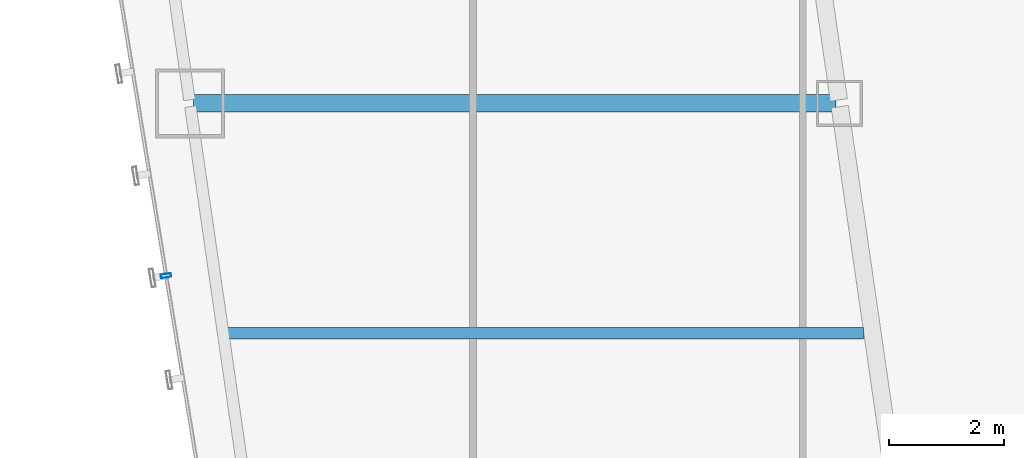
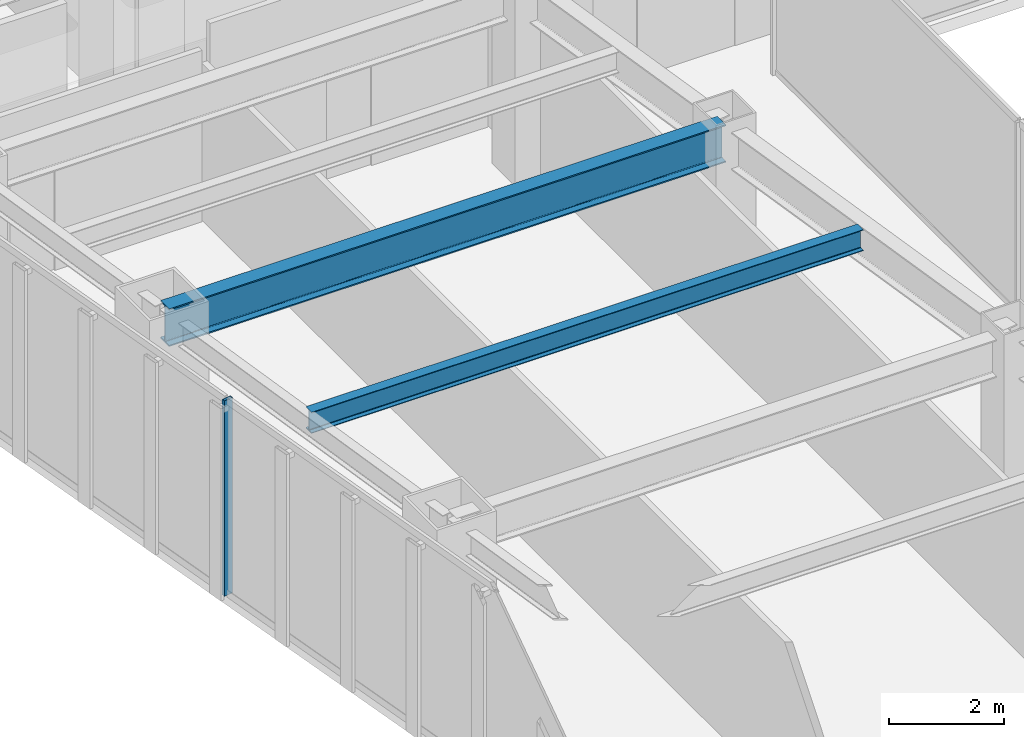
# One storey, part 11 of 49: 2 beams, 1 member, 1 element without a shape of its own.
"""IFC4 building model written with IfcOpenShell, lengths in metres."""

from ifc_helpers import new_model, si_unit, direction, frame, origin, origin_2d, place, context, subcontext, project, spatial, hollow_rectangle, i_section, extrude, material, material_profile, profile_set, type_object, element, aggregate, save


model = new_model("IFC4")

# Units and contexts
model_context = context("Model", 3, precision=1e-05, world=origin(), true_north=direction((0.0, 1.0)))
body_context = subcontext(model_context, "Body", "Model", "MODEL_VIEW")
ifc_project = project(units=[si_unit("LENGTHUNIT", "METRE"), si_unit("AREAUNIT", "SQUARE_METRE"), si_unit("VOLUMEUNIT", "CUBIC_METRE"), si_unit("PLANEANGLEUNIT", "RADIAN"), si_unit("MASSUNIT", "GRAM", prefix="KILO")], contexts=[model_context])

# Site, building, storey
site_placement = place(None, origin())
site = spatial("IfcSite", under=ifc_project, at=site_placement, CompositionType="ELEMENT")
building_placement = place(site_placement, origin())
building = spatial("IfcBuilding", under=site, at=building_placement, Name="Saevonmaru Cultural Tower", CompositionType="ELEMENT")
storey_placement = place(building_placement, frame((0.0, 0.0, 73.60009765625)))
storey = spatial("IfcBuildingStorey", under=building, at=storey_placement, Name="L15", CompositionType="ELEMENT", Elevation=73.60009765625)

# Beams
ifc_material_1 = material(Name="Steel SM420", Category="steel")
ifc_material_profile_1 = material_profile(ifc_material_1, i_section(OverallWidth=0.300048828125, OverallDepth=0.800048828125, WebThickness=0.013916015625, FlangeThickness=0.02587890625, FilletRadius=0.028076171875, at=origin_2d()), Name="H-800x300x14x26")
ifc_profile_set_1 = profile_set([ifc_material_profile_1], Name="Steel SM420")
beam_type_1 = type_object("IfcBeamType", Name="BM-G-H800", PredefinedType="BEAM", material=ifc_profile_set_1)
beam_1_placement = place(storey_placement, frame((8.376953125, 32.0, 3.75), z_axis=(1.0, 0.0, 0.0), x_axis=(0.0, 1.0, 0.0)))
element("IfcBeam", 1, at=beam_1_placement, inside=storey, type_object=beam_type_1, Name="L15 West Wing Transverse Girder 5", PredefinedType="BEAM", context=body_context, shape_type="SweptSolid", body=[
    extrude(i_section(OverallWidth=0.300048828125, OverallDepth=0.800048828125, WebThickness=0.013916015625, FlangeThickness=0.02587890625, FilletRadius=0.028076171875, at=origin_2d()), origin(), (0.0, 0.0, 1.0), 11.179931640625),
])
ifc_material_2 = material(Name="Steel SM355", Category="steel")
ifc_material_profile_2 = material_profile(ifc_material_2, i_section(OverallWidth=0.199951171875, OverallDepth=0.449951171875, WebThickness=0.009033203125, FlangeThickness=0.013916015625, FilletRadius=0.01806640625, at=origin_2d()), Name="H-450x200x9x14")
ifc_profile_set_2 = profile_set([ifc_material_profile_2], Name="Steel SM355")
beam_type_2 = type_object("IfcBeamType", Name="BM-J-H450", PredefinedType="JOIST", material=ifc_profile_set_2)
beam_2_placement = place(storey_placement, frame((8.95458984375, 28.0, 3.9248046875), z_axis=(1.0, 0.0, 0.0), x_axis=(0.0, 1.0, 0.0)))
element("IfcBeam", 2, at=beam_2_placement, inside=storey, type_object=beam_type_2, Name="L15 West Wing Floor Joist 4", PredefinedType="JOIST", context=body_context, shape_type="SweptSolid", body=[
    extrude(i_section(OverallWidth=0.199951171875, OverallDepth=0.449951171875, WebThickness=0.009033203125, FlangeThickness=0.013916015625, FilletRadius=0.01806640625, at=origin_2d()), origin(), (0.0, 0.0, 1.0), 11.08203125),
])

# Curtain wall, member
ifc_material_3 = material(Name="Satin Bronze Anodised Aluminium", Category="aluminium")
curtain_wall_type = type_object("IfcCurtainWallType", Name="CW-TYP-A", PredefinedType="NOTDEFINED", material=ifc_material_3)
curtain_wall_placement = place(storey_placement, origin())
curtain_wall = element("IfcCurtainWall", 3, at=curtain_wall_placement, inside=storey, type_object=curtain_wall_type, Name="L15 Unitised Curtain Wall E12", PredefinedType="NOTDEFINED")
ifc_material_profile_3 = material_profile(ifc_material_3, hollow_rectangle(XDim=0.06494140625, YDim=0.179931640625, WallThickness=0.00390625, at=origin_2d()), Name="ALU-MULL-180x65x4")
ifc_profile_set_3 = profile_set([ifc_material_profile_3], Name="Satin Bronze Anodised Aluminium")
member_type = type_object("IfcMemberType", Name="ML-CW-180x65", PredefinedType="MULLION", material=ifc_profile_set_3)
member_placement = place(storey_placement, frame((7.89990234375, 29.0, 0.0), z_axis=(0.0, 0.0, 1.0), x_axis=(0.161708868641, -0.986838508472, 0.0)))
member = element("IfcMember", 4, at=member_placement, type_object=member_type, Name="CW-TW-L15-E12 mullion 3", PredefinedType="MULLION", context=body_context, shape_type="SweptSolid", body=[
    extrude(hollow_rectangle(XDim=0.06494140625, YDim=0.179931640625, WallThickness=0.00390625, at=origin_2d()), origin(), (0.0, 0.0, 1.0), 4.14990234375),
])
aggregate(curtain_wall, [member])

save(model, "model.ifc")
